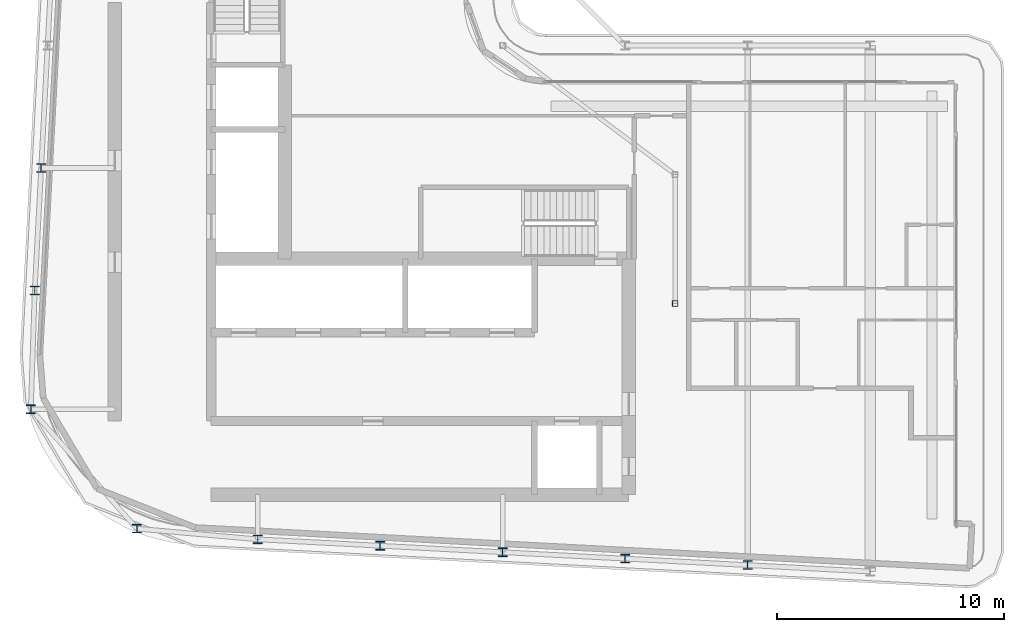
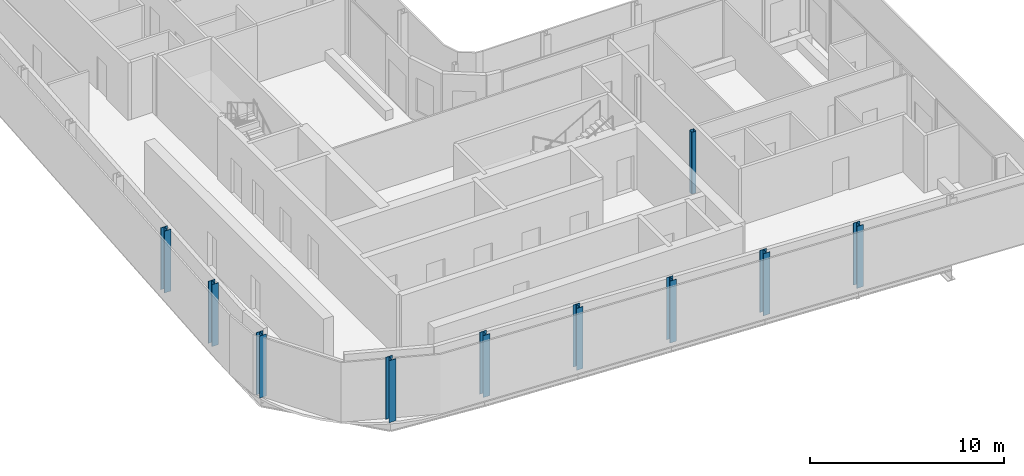
# One storey, part 1 of 21: 10 columns.
"""IFC4 building model written with IfcOpenShell, lengths in metres."""

from ifc_helpers import new_model, si_unit, direction, frame, origin, origin_2d, place, context, subcontext, project, spatial, hollow_rectangle, i_section, extrude, material, material_profile, profile_set, type_object, element, save


model = new_model("IFC4")

# Units and contexts
model_context = context("Model", 3, precision=1e-05, world=origin(), true_north=direction((0.0, 1.0)))
body_context = subcontext(model_context, "Body", "Model", "MODEL_VIEW")
ifc_project = project(units=[si_unit("LENGTHUNIT", "METRE"), si_unit("AREAUNIT", "SQUARE_METRE"), si_unit("VOLUMEUNIT", "CUBIC_METRE"), si_unit("PLANEANGLEUNIT", "RADIAN"), si_unit("MASSUNIT", "GRAM", prefix="KILO")], contexts=[model_context])

# Site, building, storey
site_placement = place(None, origin())
site = spatial("IfcSite", under=ifc_project, at=site_placement, CompositionType="ELEMENT")
building_placement = place(site_placement, origin())
building = spatial("IfcBuilding", under=site, at=building_placement, Name="Kheshtan School and Residences Tower", CompositionType="ELEMENT")
storey_placement = place(building_placement, frame((0.0, 0.0, 305.89990234375)))
storey = spatial("IfcBuildingStorey", under=building, at=storey_placement, Name="L72", CompositionType="ELEMENT", Elevation=305.89990234375)

# Columns
ifc_material_1 = material(Name="Steel ASTM A992 Grade 50", Category="steel")
ifc_material_profile_1 = material_profile(ifc_material_1, i_section(OverallWidth=0.39501953125, OverallDepth=0.3798828125, WebThickness=0.018798828125, FlangeThickness=0.0302734375, FilletRadius=0.011474609375, at=origin_2d()), Name="W360x237")
ifc_profile_set_1 = profile_set([ifc_material_profile_1], Name="Steel ASTM A992 Grade 50")
column_type_1 = type_object("IfcColumnType", Name="Column C5 W360x237 ASTM A992 Grade 50", PredefinedType="COLUMN", material=ifc_profile_set_1)
for number, where, z_axis, x_axis, name in (
    (1, (58.39990234375, 22.695068359375, 0.0), (0.0, 0.0, 1.0), (1.0, 0.0, 0.0), "Column C018"),
    (2, (53.0, 22.97998046875, 0.0), (0.0, 0.0, 1.0), (1.0, 0.0, 0.0), "Column C019"),
    (3, (47.60009765625, 23.263916015625, 0.0), (0.0, 0.0, 1.0), (1.0, 0.0, 0.0), "Column C020"),
    (4, (42.199951171875, 23.548095703125, 0.0), (0.0, 0.0, 1.0), (1.0, 0.0, 0.0), "Column C021"),
    (5, (36.800048828125, 23.83203125, 0.0), (0.0, 0.0, 1.0), (1.0, 0.0, 0.0), "Column C022"),
    (6, (31.47412109375, 24.302001953125, 0.0), (0.0, 0.0, 1.0), (1.0, 0.0, 0.0), "Column C031"),
    (7, (26.797119140625, 29.56591796875, 0.0), (0.0, 0.0, 1.0), (1.0, 0.0, 0.0), "Column C044"),
    (8, (26.968994140625, 34.800048828125, 0.0), (0.0, 0.0, 1.0), (1.0, 0.0, 0.0), "Column C052"),
    (9, (27.2529296875, 40.199951171875, 0.0), (0.0, 0.0, 1.0), (1.0, 0.0, 0.0), "Column C056"),
):
    element("IfcColumn", number, at=place(storey_placement, frame(where, z_axis=z_axis, x_axis=x_axis)), inside=storey, type_object=column_type_1, Name=name, PredefinedType="COLUMN", context=body_context, shape_type="SweptSolid", body=[
        extrude(i_section(OverallWidth=0.39501953125, OverallDepth=0.3798828125, WebThickness=0.018798828125, FlangeThickness=0.0302734375, FilletRadius=0.011474609375, at=origin_2d()), origin(), (0.0, 0.0, 1.0), 3.900146484375),
    ])
ifc_material_2 = material(Name="Steel ASTM A500 Grade C", Category="steel")
ifc_material_profile_2 = material_profile(ifc_material_2, hollow_rectangle(XDim=0.25390625, YDim=0.25390625, WallThickness=0.0126953125, InnerFilletRadius=0.0126953125, OuterFilletRadius=0.025390625, at=origin_2d()), Name="HSS 254x254x12.7")
ifc_profile_set_2 = profile_set([ifc_material_profile_2], Name="Steel ASTM A500 Grade C")
column_type_2 = type_object("IfcColumnType", Name="Column IC3 HSS 254x254x12.7 ASTM A500 Grade C", PredefinedType="COLUMN", material=ifc_profile_set_2)
column_placement = place(storey_placement, frame((55.199951171875, 34.23193359375, 0.0), z_axis=(0.0, 0.0, 1.0), x_axis=(1.0, 0.0, 0.0)))
element("IfcColumn", 10, at=column_placement, inside=storey, type_object=column_type_2, Name="Column C051", PredefinedType="COLUMN", context=body_context, shape_type="SweptSolid", body=[
    extrude(hollow_rectangle(XDim=0.25390625, YDim=0.25390625, WallThickness=0.0126953125, InnerFilletRadius=0.0126953125, OuterFilletRadius=0.025390625, at=origin_2d()), origin(), (0.0, 0.0, 1.0), 3.900146484375),
])

save(model, "model.ifc")
